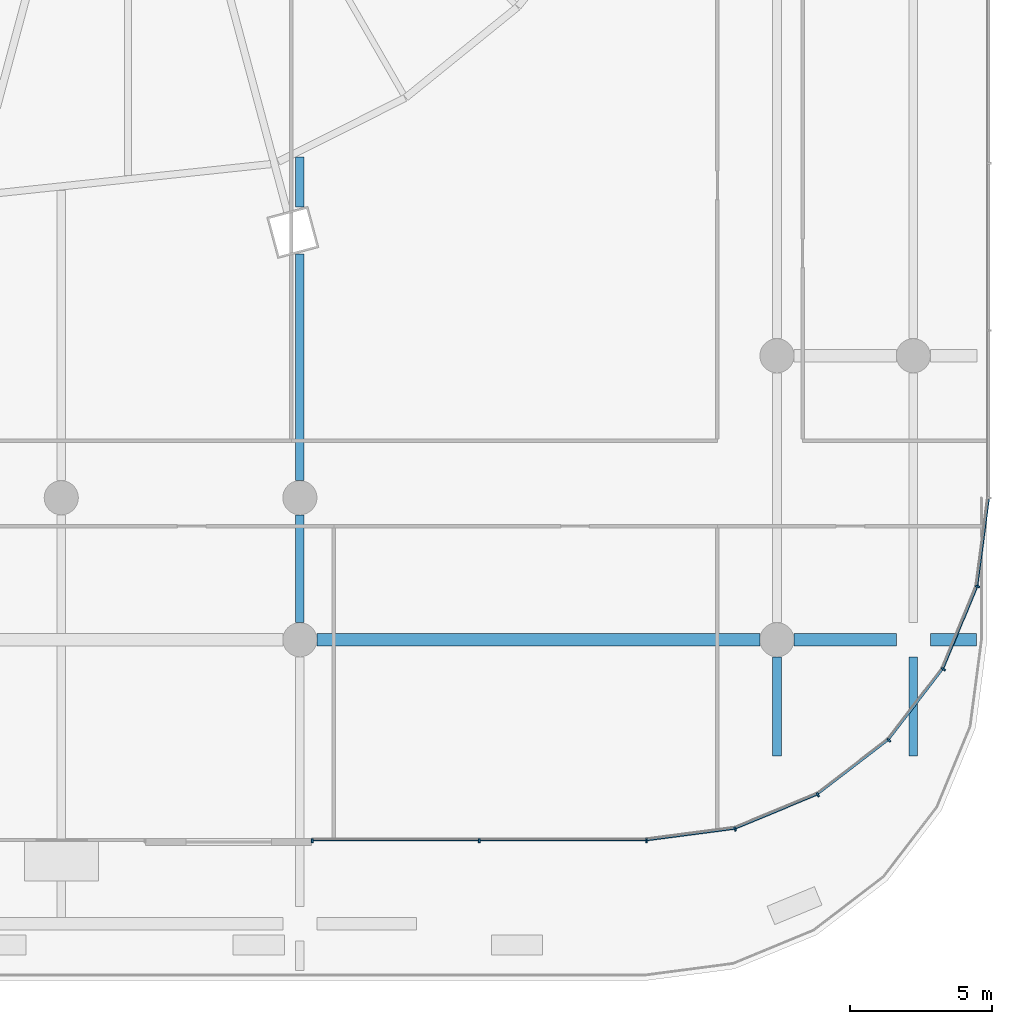
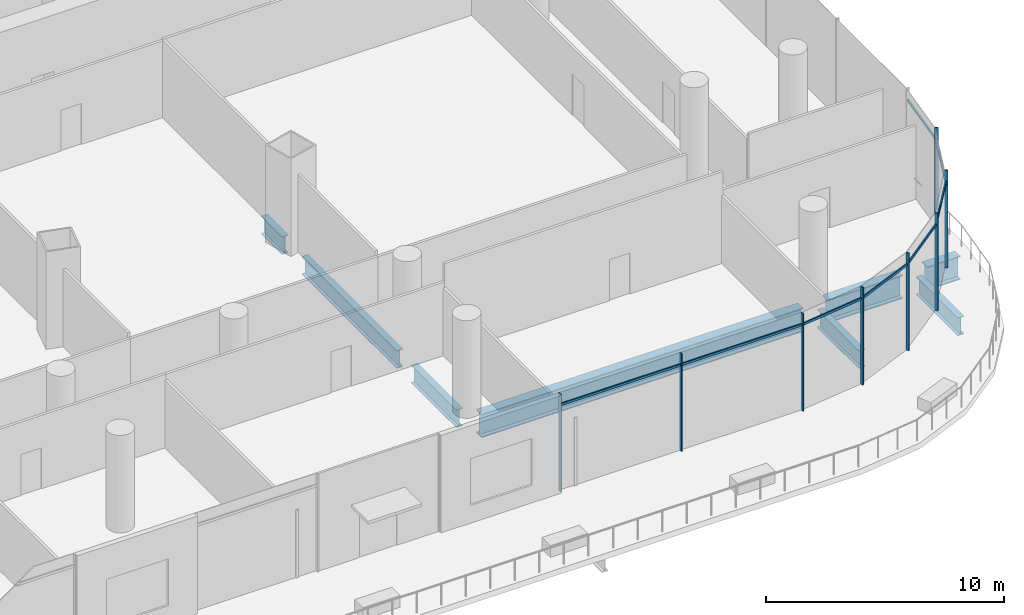
# One storey, part 16 of 51: 16 members, 8 beams, 1 element without a shape of its own.
"""IFC4 building model written with IfcOpenShell, lengths in metres."""

from ifc_helpers import new_model, si_unit, direction, frame, origin, origin_2d, place, context, subcontext, project, spatial, rectangle, i_section, extrude, material, material_profile, profile_set, type_object, element, aggregate, save


model = new_model("IFC4")

# Units and contexts
model_context = context("Model", 3, precision=1e-05, world=origin(), true_north=direction((0.0, 1.0)))
body_context = subcontext(model_context, "Body", "Model", "MODEL_VIEW")
ifc_project = project(units=[si_unit("LENGTHUNIT", "METRE"), si_unit("AREAUNIT", "SQUARE_METRE"), si_unit("VOLUMEUNIT", "CUBIC_METRE"), si_unit("PLANEANGLEUNIT", "RADIAN"), si_unit("MASSUNIT", "GRAM", prefix="KILO")], contexts=[model_context])

# Site, building, storey
site_placement = place(None, origin())
site = spatial("IfcSite", under=ifc_project, at=site_placement, CompositionType="ELEMENT")
building_placement = place(site_placement, origin())
building = spatial("IfcBuilding", under=site, at=building_placement, Name="Rimbun Link Towers", CompositionType="ELEMENT")
storey_placement = place(building_placement, frame((0.0, 0.0, 7.0)))
storey = spatial("IfcBuildingStorey", under=building, at=storey_placement, Name="L01", CompositionType="ELEMENT", Elevation=7.0)

# Curtain wall, members
ifc_material_1 = material(Name="Aluminium 6063-T6 and low-iron glass", Category="aluminium")
curtain_wall_type = type_object("IfcCurtainWallType", Name="CW3 podium shopfront", PredefinedType="NOTDEFINED", material=ifc_material_1)
curtain_wall_placement = place(storey_placement, origin())
curtain_wall = element("IfcCurtainWall", 1, at=curtain_wall_placement, inside=storey, type_object=curtain_wall_type, Name="CW3 L01 PD", PredefinedType="NOTDEFINED")
ifc_material_2 = material(Name="Aluminium 6063-T6", Category="aluminium")
ifc_material_profile_1 = material_profile(ifc_material_2, rectangle(XDim=0.14990234375, YDim=0.06005859375, at=origin_2d()), Name="MULLION 60X150")
ifc_profile_set_1 = profile_set([ifc_material_profile_1], Name="Aluminium 6063-T6")
member_type_1 = type_object("IfcMemberType", Name="CW3 mullion 60X150", PredefinedType="MULLION", material=ifc_profile_set_1)
member_1_placement = place(storey_placement, frame((53.125244140625, -42.66357421875, 0.0), z_axis=(0.0, 0.0, 1.0), x_axis=(0.258818729038, -0.965925910978, 0.0)))
member_1 = element("IfcMember", 2, at=member_1_placement, type_object=member_type_1, Name="CW3 mullion", PredefinedType="MULLION", context=body_context, shape_type="SweptSolid", body=[
    extrude(rectangle(XDim=0.14990234375, YDim=0.06005859375, at=origin_2d()), origin(), (0.0, 0.0, 1.0), 5.0),
])
member_2_placement = place(storey_placement, frame((50.0048828125, -43.074951171875, 0.0), z_axis=(0.0, 0.0, 1.0), x_axis=(0.065405288299, -0.997858781723, 0.0)))
member_2 = element("IfcMember", 3, at=member_2_placement, type_object=member_type_1, Name="CW3 mullion", PredefinedType="MULLION", context=body_context, shape_type="SweptSolid", body=[
    extrude(rectangle(XDim=0.14990234375, YDim=0.06005859375, at=origin_2d()), origin(), (0.0, 0.0, 1.0), 5.0),
])
member_3_placement = place(storey_placement, frame((56.03759765625, -41.457275390625, 0.0), z_axis=(0.0, 0.0, 1.0), x_axis=(0.499993701568, -0.866029040155, 0.0)))
member_3 = element("IfcMember", 4, at=member_3_placement, type_object=member_type_1, Name="CW3 mullion", PredefinedType="MULLION", context=body_context, shape_type="SweptSolid", body=[
    extrude(rectangle(XDim=0.14990234375, YDim=0.06005859375, at=origin_2d()), origin(), (0.0, 0.0, 1.0), 5.0),
])
member_4_placement = place(storey_placement, frame((58.538330078125, -39.538330078125, 0.0), z_axis=(0.0, 0.0, 1.0), x_axis=(0.707106781187, -0.707106781187, 0.0)))
member_4 = element("IfcMember", 5, at=member_4_placement, type_object=member_type_1, Name="CW3 mullion", PredefinedType="MULLION", context=body_context, shape_type="SweptSolid", body=[
    extrude(rectangle(XDim=0.14990234375, YDim=0.06005859375, at=origin_2d()), origin(), (0.0, 0.0, 1.0), 5.0),
])
member_5_placement = place(storey_placement, frame((60.457275390625, -37.03759765625, 0.0), z_axis=(0.0, 0.0, 1.0), x_axis=(0.866029040155, -0.499993701568, 0.0)))
member_5 = element("IfcMember", 6, at=member_5_placement, type_object=member_type_1, Name="CW3 mullion", PredefinedType="MULLION", context=body_context, shape_type="SweptSolid", body=[
    extrude(rectangle(XDim=0.14990234375, YDim=0.06005859375, at=origin_2d()), origin(), (0.0, 0.0, 1.0), 5.0),
])
member_6_placement = place(storey_placement, frame((61.66357421875, -34.125244140625, 0.0), z_axis=(0.0, 0.0, 1.0), x_axis=(0.965925910978, -0.258818729038, 0.0)))
member_6 = element("IfcMember", 7, at=member_6_placement, type_object=member_type_1, Name="CW3 mullion", PredefinedType="MULLION", context=body_context, shape_type="SweptSolid", body=[
    extrude(rectangle(XDim=0.14990234375, YDim=0.06005859375, at=origin_2d()), origin(), (0.0, 0.0, 1.0), 5.0),
])
member_7_placement = place(storey_placement, frame((38.2353515625, -43.074951171875, 0.0), z_axis=(0.0, 0.0, 1.0), x_axis=(0.0, -1.0, 0.0)))
member_7 = element("IfcMember", 8, at=member_7_placement, type_object=member_type_1, Name="CW3 mullion", PredefinedType="MULLION", context=body_context, shape_type="SweptSolid", body=[
    extrude(rectangle(XDim=0.14990234375, YDim=0.06005859375, at=origin_2d()), origin(), (0.0, 0.0, 1.0), 5.0),
])
member_8_placement = place(storey_placement, frame((44.11767578125, -43.074951171875, 0.0), z_axis=(0.0, 0.0, 1.0), x_axis=(0.0, -1.0, 0.0)))
member_8 = element("IfcMember", 9, at=member_8_placement, type_object=member_type_1, Name="CW3 mullion", PredefinedType="MULLION", context=body_context, shape_type="SweptSolid", body=[
    extrude(rectangle(XDim=0.14990234375, YDim=0.06005859375, at=origin_2d()), origin(), (0.0, 0.0, 1.0), 5.0),
])
ifc_material_3 = material(Name="Aluminium 6063-T6", Category="aluminium")
ifc_material_profile_2 = material_profile(ifc_material_3, rectangle(XDim=0.06005859375, YDim=0.1201171875, at=origin_2d()), Name="TRANSOM 60X120")
ifc_profile_set_2 = profile_set([ifc_material_profile_2], Name="Aluminium 6063-T6")
member_type_2 = type_object("IfcMemberType", Name="CW3 transom 60X120", PredefinedType="USERDEFINED", material=ifc_profile_set_2)
member_9_placement = place(storey_placement, frame((53.0830078125, -42.6484375, 4.39990234375), z_axis=(-0.991441037829, -0.130555231638, 0.0), x_axis=(0.130555231638, -0.991441037829, 0.0)))
member_9 = element("IfcMember", 10, at=member_9_placement, type_object=member_type_2, Name="CW3 transom", ObjectType="TRANSOM", PredefinedType="USERDEFINED", context=body_context, shape_type="SweptSolid", body=[
    extrude(rectangle(XDim=0.06005859375, YDim=0.1201171875, at=origin_2d()), origin(), (0.0, 0.0, 1.0), 3.072509765625),
])
member_10_placement = place(storey_placement, frame((55.992919921875, -41.45361328125, 4.39990234375), z_axis=(-0.923881248716, -0.382679289053, 0.0), x_axis=(0.382679289053, -0.923881248716, 0.0)))
member_10 = element("IfcMember", 11, at=member_10_placement, type_object=member_type_2, Name="CW3 transom", ObjectType="TRANSOM", PredefinedType="USERDEFINED", context=body_context, shape_type="SweptSolid", body=[
    extrude(rectangle(XDim=0.06005859375, YDim=0.1201171875, at=origin_2d()), origin(), (0.0, 0.0, 1.0), 3.072509765625),
])
member_11_placement = place(storey_placement, frame((58.494384765625, -39.54638671875, 4.39990234375), z_axis=(-0.793344129687, -0.608773432314, 0.0), x_axis=(0.608773432314, -0.793344129687, 0.0)))
member_11 = element("IfcMember", 12, at=member_11_placement, type_object=member_type_2, Name="CW3 transom", ObjectType="TRANSOM", PredefinedType="USERDEFINED", context=body_context, shape_type="SweptSolid", body=[
    extrude(rectangle(XDim=0.06005859375, YDim=0.1201171875, at=origin_2d()), origin(), (0.0, 0.0, 1.0), 3.07275390625),
])
member_12_placement = place(storey_placement, frame((60.4169921875, -37.056640625, 4.39990234375), z_axis=(-0.608773432314, -0.793344129687, 0.0), x_axis=(0.793344129687, -0.608773432314, 0.0)))
member_12 = element("IfcMember", 13, at=member_12_placement, type_object=member_type_2, Name="CW3 transom", ObjectType="TRANSOM", PredefinedType="USERDEFINED", context=body_context, shape_type="SweptSolid", body=[
    extrude(rectangle(XDim=0.06005859375, YDim=0.1201171875, at=origin_2d()), origin(), (0.0, 0.0, 1.0), 3.07275390625),
])
member_13_placement = place(storey_placement, frame((61.62939453125, -34.154296875, 4.39990234375), z_axis=(-0.382679289053, -0.923881248716, 0.0), x_axis=(0.923881248716, -0.382679289053, 0.0)))
member_13 = element("IfcMember", 14, at=member_13_placement, type_object=member_type_2, Name="CW3 transom", ObjectType="TRANSOM", PredefinedType="USERDEFINED", context=body_context, shape_type="SweptSolid", body=[
    extrude(rectangle(XDim=0.06005859375, YDim=0.1201171875, at=origin_2d()), origin(), (0.0, 0.0, 1.0), 3.072509765625),
])
member_14_placement = place(storey_placement, frame((62.049560546875, -31.036865234375, 4.39990234375), z_axis=(-0.130555231638, -0.991441037829, 0.0), x_axis=(0.991441037829, -0.130555231638, 0.0)))
member_14 = element("IfcMember", 15, at=member_14_placement, type_object=member_type_2, Name="CW3 transom", ObjectType="TRANSOM", PredefinedType="USERDEFINED", context=body_context, shape_type="SweptSolid", body=[
    extrude(rectangle(XDim=0.06005859375, YDim=0.1201171875, at=origin_2d()), origin(), (0.0, 0.0, 1.0), 3.072509765625),
])
member_15_placement = place(storey_placement, frame((44.087646484375, -43.053955078125, 4.39990234375), z_axis=(-1.0, 0.0, 0.0), x_axis=(0.0, -1.0, 0.0)))
member_15 = element("IfcMember", 16, at=member_15_placement, type_object=member_type_2, Name="CW3 transom", ObjectType="TRANSOM", PredefinedType="USERDEFINED", context=body_context, shape_type="SweptSolid", body=[
    extrude(rectangle(XDim=0.06005859375, YDim=0.1201171875, at=origin_2d()), origin(), (0.0, 0.0, 1.0), 5.822265625),
])
member_16_placement = place(storey_placement, frame((49.969970703125, -43.053955078125, 4.39990234375), z_axis=(-1.0, 0.0, 0.0), x_axis=(0.0, -1.0, 0.0)))
member_16 = element("IfcMember", 17, at=member_16_placement, type_object=member_type_2, Name="CW3 transom", ObjectType="TRANSOM", PredefinedType="USERDEFINED", context=body_context, shape_type="SweptSolid", body=[
    extrude(rectangle(XDim=0.06005859375, YDim=0.1201171875, at=origin_2d()), origin(), (0.0, 0.0, 1.0), 5.822265625),
])
aggregate(curtain_wall, [member_1, member_2, member_3, member_4, member_5, member_6, member_7, member_8, member_9, member_10, member_11, member_12, member_13, member_14, member_15, member_16])

# Beams
ifc_material_4 = material(Name="Steel S355J2", Category="steel")
ifc_material_profile_3 = material_profile(ifc_material_4, i_section(OverallWidth=0.449951171875, OverallDepth=1.199951171875, WebThickness=0.030029296875, FlangeThickness=0.044921875, at=origin_2d()), Name="PG 1200x450x30/45")
ifc_profile_set_3 = profile_set([ifc_material_profile_3], Name="Steel S355J2")
beam_type_1 = type_object("IfcBeamType", Name="PG 1200x450x30/45", PredefinedType="BEAM", material=ifc_profile_set_3)
beam_1_placement = place(storey_placement, frame((38.39990234375, -36.0, -0.89990234375), z_axis=(1.0, 0.0, 0.0), x_axis=(0.0, 1.0, 0.0)))
element("IfcBeam", 18, at=beam_1_placement, inside=storey, type_object=beam_type_1, Name="Grid beam L01 -36.0", PredefinedType="BEAM", context=body_context, shape_type="SweptSolid", body=[
    extrude(i_section(OverallWidth=0.449951171875, OverallDepth=1.199951171875, WebThickness=0.030029296875, FlangeThickness=0.044921875, at=origin_2d()), origin(), (0.0, 0.0, 1.0), 15.60009765625),
])
beam_2_placement = place(storey_placement, frame((55.199951171875, -36.0, -0.89990234375), z_axis=(1.0, 0.0, 0.0), x_axis=(0.0, 1.0, 0.0)))
element("IfcBeam", 19, at=beam_2_placement, inside=storey, type_object=beam_type_1, Name="Grid beam L01 -36.0", PredefinedType="BEAM", context=body_context, shape_type="SweptSolid", body=[
    extrude(i_section(OverallWidth=0.449951171875, OverallDepth=1.199951171875, WebThickness=0.030029296875, FlangeThickness=0.044921875, at=origin_2d()), origin(), (0.0, 0.0, 1.0), 3.60009765625),
])
beam_3_placement = place(storey_placement, frame((60.0, -36.0, -0.89990234375), z_axis=(1.0, 0.0, 0.0), x_axis=(0.0, 1.0, 0.0)))
element("IfcBeam", 20, at=beam_3_placement, inside=storey, type_object=beam_type_1, Name="Grid beam L01 -36.0", PredefinedType="BEAM", context=body_context, shape_type="SweptSolid", body=[
    extrude(i_section(OverallWidth=0.449951171875, OverallDepth=1.199951171875, WebThickness=0.030029296875, FlangeThickness=0.044921875, at=origin_2d()), origin(), (0.0, 0.0, 1.0), 1.616455078125),
])
ifc_material_5 = material(Name="Steel S355J2", Category="steel")
ifc_material_profile_4 = material_profile(ifc_material_5, i_section(OverallWidth=0.305419921875, OverallDepth=0.91845703125, WebThickness=0.017333984375, FlangeThickness=0.02783203125, at=origin_2d()), Name="UB 914x305x253")
ifc_profile_set_4 = profile_set([ifc_material_profile_4], Name="Steel S355J2")
beam_type_2 = type_object("IfcBeamType", Name="UB 914x305x253", PredefinedType="BEAM", material=ifc_profile_set_4)
beam_4_placement = place(storey_placement, frame((37.800048828125, -35.39990234375, -0.75927734375), z_axis=(0.0, 1.0, 0.0), x_axis=(-1.0, 0.0, 0.0)))
element("IfcBeam", 21, at=beam_4_placement, inside=storey, type_object=beam_type_2, Name="Grid beam L01 +37.8", PredefinedType="BEAM", context=body_context, shape_type="SweptSolid", body=[
    extrude(i_section(OverallWidth=0.305419921875, OverallDepth=0.91845703125, WebThickness=0.017333984375, FlangeThickness=0.02783203125, at=origin_2d()), origin(), (0.0, 0.0, 1.0), 3.7998046875),
])
beam_5_placement = place(storey_placement, frame((37.800048828125, -30.39990234375, -0.75927734375), z_axis=(0.0, 1.0, 0.0), x_axis=(-1.0, 0.0, 0.0)))
element("IfcBeam", 22, at=beam_5_placement, inside=storey, type_object=beam_type_2, Name="Grid beam L01 +37.8", PredefinedType="BEAM", context=body_context, shape_type="SweptSolid", body=[
    extrude(i_section(OverallWidth=0.305419921875, OverallDepth=0.91845703125, WebThickness=0.017333984375, FlangeThickness=0.02783203125, at=origin_2d()), origin(), (0.0, 0.0, 1.0), 7.984130859375),
])
beam_6_placement = place(storey_placement, frame((37.800048828125, -20.7685546875, -0.75927734375), z_axis=(0.0, 1.0, 0.0), x_axis=(-1.0, 0.0, 0.0)))
element("IfcBeam", 23, at=beam_6_placement, inside=storey, type_object=beam_type_2, Name="Grid beam L01 +37.8", PredefinedType="BEAM", context=body_context, shape_type="SweptSolid", body=[
    extrude(i_section(OverallWidth=0.305419921875, OverallDepth=0.91845703125, WebThickness=0.017333984375, FlangeThickness=0.02783203125, at=origin_2d()), origin(), (0.0, 0.0, 1.0), 1.7607421875),
])
for number, where, z_axis, x_axis, name in (
    (24, (54.60009765625, -40.10009765625, -0.75927734375), (0.0, 1.0, 0.0), (-1.0, 0.0, 0.0), "Grid beam L01 +54.6"),
    (25, (59.39990234375, -40.10009765625, -0.75927734375), (0.0, 1.0, 0.0), (-1.0, 0.0, 0.0), "Grid beam L01 +59.4"),
):
    element("IfcBeam", number, at=place(storey_placement, frame(where, z_axis=z_axis, x_axis=x_axis)), inside=storey, type_object=beam_type_2, Name=name, PredefinedType="BEAM", context=body_context, shape_type="SweptSolid", body=[
        extrude(i_section(OverallWidth=0.305419921875, OverallDepth=0.91845703125, WebThickness=0.017333984375, FlangeThickness=0.02783203125, at=origin_2d()), origin(), (0.0, 0.0, 1.0), 3.5),
    ])

save(model, "model.ifc")
